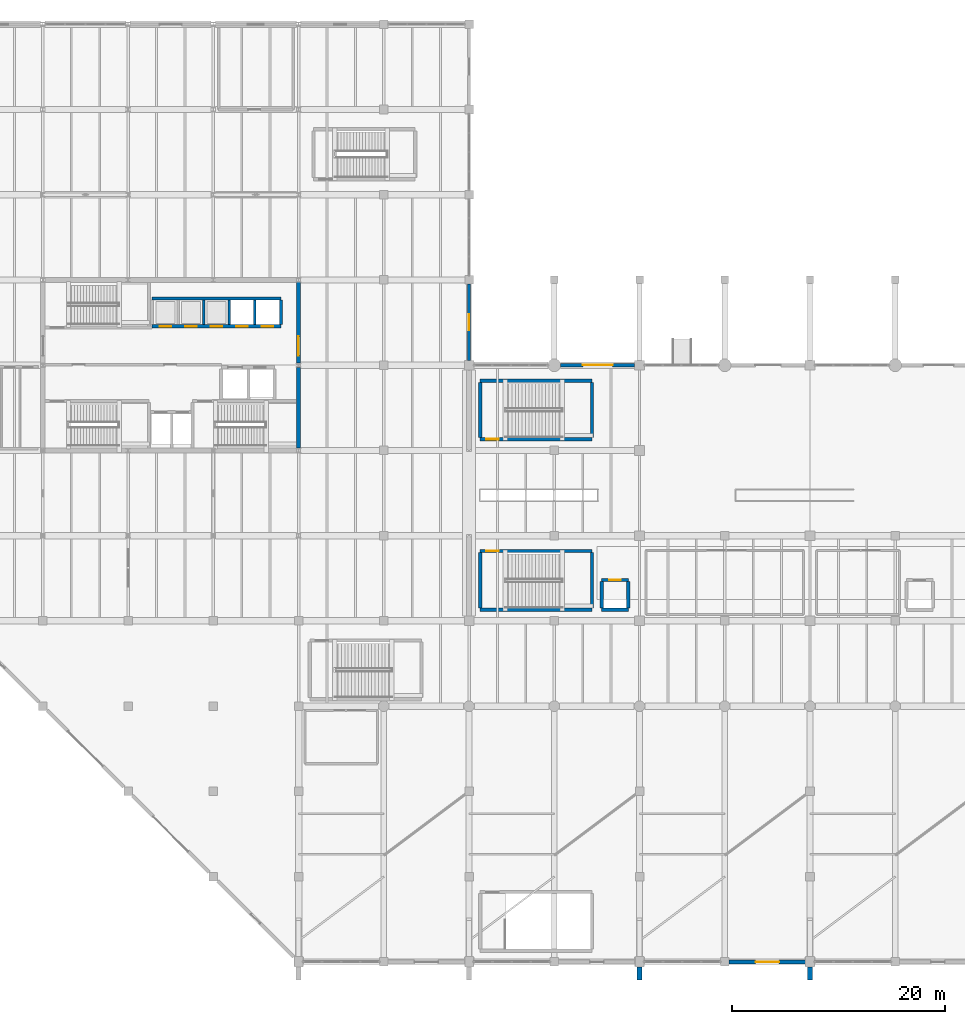
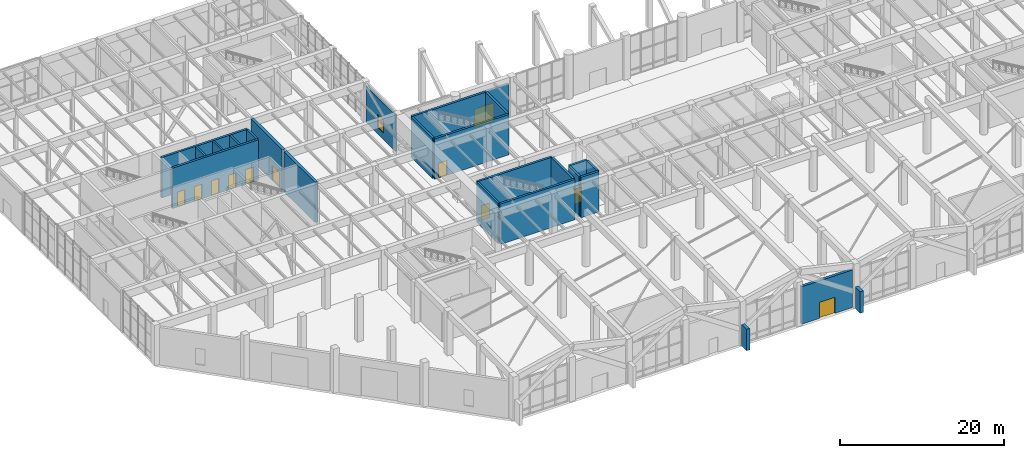
# One storey, part 35 of 51: 25 walls, 11 doors, 1 window, 12 openings.
"""IFC4 building model written with IfcOpenShell, lengths in metres."""

import ifcopenshell
import ifcopenshell.guid

model = None  # the IFC model being written
_history = None  # IfcOwnerHistory: only IFC2X3 demands one
_inside = {}  # id of a spatial element -> (the spatial element, [elements in it])
_under = {}  # id of a project, library or spatial element -> (it, [spatial elements below it])
_declared = {}  # id of a project -> (the project, [libraries it declares])
_typed = {}  # id of a type object -> (the type object, [elements of that type])
_made_of = {}  # id of a material, layer set ... -> (it, [elements and type objects made of it])


def new_model(schema):
    """Start an empty IFC model of exactly this schema.

    Asked for "IFC4X3", IfcOpenShell would pick the latest addendum, in which some entities
    have other attributes; the version numbers below select the first issue.
    IFC2X3 requires an IfcOwnerHistory on every rooted entity: one is made here for all.
    """
    global model, _history
    if schema == "IFC4X3":
        model = ifcopenshell.file(schema_version=(4, 3, 0, 0))
    else:
        model = ifcopenshell.file(schema=schema)
    _inside.clear()
    _under.clear()
    _declared.clear()
    _typed.clear()
    _made_of.clear()
    _history = None
    if model.schema == "IFC2X3":
        org = make("IfcOrganization", Name="unknown")
        user = make(
            "IfcPersonAndOrganization",
            ThePerson=make("IfcPerson", FamilyName="unknown"),
            TheOrganization=org,
        )
        app = make(
            "IfcApplication",
            ApplicationDeveloper=org,
            Version="unknown",
            ApplicationFullName="unknown",
            ApplicationIdentifier="unknown",
        )
        _history = make(
            "IfcOwnerHistory",
            OwningUser=user,
            OwningApplication=app,
            ChangeAction="ADDED",
            CreationDate=0,
        )
    return model


def make(cls, **values):
    """One entity of the class cls with the attributes given. An attribute that is None is left unset."""
    return model.create_entity(
        cls, **{name: value for name, value in values.items() if value is not None}
    )


def rooted(cls, **values):
    """An entity with a GlobalId (a new one), such as an element, a storey or a relation."""
    return make(cls, GlobalId=ifcopenshell.guid.new(), OwnerHistory=_history, **values)


def si_unit(unit_type, name, prefix=None):
    """IfcSIUnit, for example si_unit("LENGTHUNIT", "METRE", prefix="MILLI")."""
    return make("IfcSIUnit", UnitType=unit_type, Prefix=prefix, Name=name)


def assignment(units):
    """IfcUnitAssignment: the units of a project."""
    return None if units is None else make("IfcUnitAssignment", Units=units)


def point(xyz):
    """IfcCartesianPoint."""
    return None if xyz is None else make("IfcCartesianPoint", Coordinates=xyz)


def direction(xyz):
    """IfcDirection."""
    return None if xyz is None else make("IfcDirection", DirectionRatios=xyz)


def frame(location, z_axis=None, x_axis=None):
    """IfcAxis2Placement3D, a coordinate frame: its origin and axes. An axis left out is left unset."""
    return make(
        "IfcAxis2Placement3D",
        Location=point(location),
        Axis=direction(z_axis),
        RefDirection=direction(x_axis),
    )


def frame_2d(location, x_axis=None):
    """IfcAxis2Placement2D, a coordinate frame in the plane: its origin and x axis."""
    return make(
        "IfcAxis2Placement2D", Location=point(location), RefDirection=direction(x_axis)
    )


def origin():
    """The frame at (0, 0, 0) with its axes left unset."""
    return frame((0.0, 0.0, 0.0))


def place(relative_to, where):
    """IfcLocalPlacement: puts the frame where relative to a parent placement (None: the world)."""
    return make(
        "IfcLocalPlacement", PlacementRelTo=relative_to, RelativePlacement=where
    )


def context(
    kind, dimensions, precision=None, world=None, true_north=None, identifier=None
):
    """IfcGeometricRepresentationContext, for example the 3D "Model" context."""
    return make(
        "IfcGeometricRepresentationContext",
        ContextIdentifier=identifier,
        ContextType=kind,
        CoordinateSpaceDimension=dimensions,
        Precision=precision,
        WorldCoordinateSystem=world,
        TrueNorth=true_north,
    )


def subcontext(parent, identifier, kind, view, scale=None):
    """IfcGeometricRepresentationSubContext, for example "Body" below "Model"."""
    return make(
        "IfcGeometricRepresentationSubContext",
        ContextIdentifier=identifier,
        ContextType=kind,
        ParentContext=parent,
        TargetScale=scale,
        TargetView=view,
    )


def project(units=None, contexts=None):
    """IfcProject with its units and contexts."""
    return rooted(
        "IfcProject",
        Name="project",
        RepresentationContexts=contexts,
        UnitsInContext=assignment(units),
    )


def spatial(cls, under=None, at=None, **own):
    """A site, building, storey or space (cls), placed at a placement, below another one or the project."""
    s = rooted(cls, ObjectPlacement=at, **own)
    if under is not None:
        _under.setdefault(under.id(), (under, []))[1].append(s)
    return s


def profile(cls, at=None, kind="AREA", **sizes):
    """A parametric profile (cls). Its sizes go by their IFC names, for example OverallWidth=200.0."""
    return make(cls, ProfileType=kind, Position=at, **sizes)


def rectangle(**sizes):
    """IfcRectangleProfileDef."""
    return profile("IfcRectangleProfileDef", **sizes)


def extrude(swept, where, along, depth):
    """IfcExtrudedAreaSolid: the profile swept, set in the frame where, extruded along a direction by depth."""
    return make(
        "IfcExtrudedAreaSolid",
        SweptArea=swept,
        Position=where,
        ExtrudedDirection=direction(along),
        Depth=depth,
    )


def shape(context_of_items, identifier, shape_type, items):
    """IfcShapeRepresentation: the items that make up one representation, for example the "Body"."""
    return make(
        "IfcShapeRepresentation",
        ContextOfItems=context_of_items,
        RepresentationIdentifier=identifier,
        RepresentationType=shape_type,
        Items=items,
    )


def material(Name=None, Category=None):
    """IfcMaterial."""
    return make("IfcMaterial", Name=Name, Category=Category)


def layer(
    of_material, thickness, ventilated=None, Name=None, Category=None, Priority=None
):
    """IfcMaterialLayer: one layer of a wall or slab, of a material (None: an air gap)."""
    return make(
        "IfcMaterialLayer",
        Material=of_material,
        LayerThickness=thickness,
        IsVentilated=ventilated,
        Name=Name,
        Category=Category,
        Priority=Priority,
    )


def layer_set(layers, Name=None):
    """IfcMaterialLayerSet."""
    return make("IfcMaterialLayerSet", MaterialLayers=layers, LayerSetName=Name)


def made_of(thing, what):
    """Note that an element or type object is made of a material, layer set ...; save() writes the relation."""
    if what is not None:
        _made_of.setdefault(what.id(), (what, []))[1].append(thing)
    return thing


def type_object(cls, material=None, **own):
    """A type object (cls), such as IfcWallType, which elements share."""
    return made_of(rooted(cls, **own), material)


def element(
    cls,
    number,
    at=None,
    inside=None,
    cuts=None,
    type_object=None,
    material=None,
    context=None,
    identifier="Body",
    shape_type=None,
    held_by="IfcProductDefinitionShape",
    body=None,
    shapes=None,
    **own,
):
    """One element of the class cls, such as IfcWall. Its Tag is "e" and its number.

    at: its placement. inside: the storey or other place that contains it. cuts: it is an
    opening in that element (IfcRelVoidsElement). A single representation is given by context,
    identifier, shape_type and body (its items); several are given by shapes. held_by: the class
    of the entity that holds the representations. save() writes the other relations.
    """
    e = rooted(cls, Tag="e%d" % number, ObjectPlacement=at, **own)
    if body is not None:
        shapes = [shape(context, identifier, shape_type, body)]
    if shapes is not None:
        e.Representation = make(held_by, Representations=shapes)
    if inside is not None:
        _inside.setdefault(inside.id(), (inside, []))[1].append(e)
    if cuts is not None:
        rooted(
            "IfcRelVoidsElement", RelatingBuildingElement=cuts, RelatedOpeningElement=e
        )
    if type_object is not None:
        _typed.setdefault(type_object.id(), (type_object, []))[1].append(e)
    return made_of(e, material)


def fill(opening, filler):
    """IfcRelFillsElement: the door or window that sits in an opening."""
    return rooted(
        "IfcRelFillsElement",
        RelatingOpeningElement=opening,
        RelatedBuildingElement=filler,
    )


def aggregate(whole, parts):
    """IfcRelAggregates: a whole, such as a stair, and the parts it consists of."""
    return rooted("IfcRelAggregates", RelatingObject=whole, RelatedObjects=parts)


def save(model, path):
    """Write the relations noted so far, then the file.

    IfcRelAggregates (storeys below a building ...), IfcRelContainedInSpatialStructure (elements
    in a storey), IfcRelDefinesByType, IfcRelAssociatesMaterial and IfcRelDeclares: one each for
    every whole, place, type object, material and project.
    """
    for whole, parts in _under.values():
        aggregate(whole, parts)
    for where, things in _inside.values():
        rooted(
            "IfcRelContainedInSpatialStructure",
            RelatedElements=things,
            RelatingStructure=where,
        )
    for kind, things in _typed.values():
        rooted("IfcRelDefinesByType", RelatedObjects=things, RelatingType=kind)
    for what, things in _made_of.values():
        rooted("IfcRelAssociatesMaterial", RelatedObjects=things, RelatingMaterial=what)
    for by, libraries in _declared.values():
        rooted("IfcRelDeclares", RelatingContext=by, RelatedDefinitions=libraries)
    model.write(path)


model = new_model("IFC4")

# Units and contexts
model_context = context("Model", 3, precision=1e-05, world=origin(), true_north=direction((0.0, 1.0)))
body_context = subcontext(model_context, "Body", "Model", "MODEL_VIEW")
ifc_project = project(units=[si_unit("LENGTHUNIT", "METRE"), si_unit("AREAUNIT", "SQUARE_METRE"), si_unit("VOLUMEUNIT", "CUBIC_METRE"), si_unit("PLANEANGLEUNIT", "RADIAN"), si_unit("MASSUNIT", "GRAM", prefix="KILO")], contexts=[model_context])

# Site, building, storey
site_placement = place(None, origin())
site = spatial("IfcSite", under=ifc_project, at=site_placement, CompositionType="ELEMENT")
building_placement = place(site_placement, origin())
building = spatial("IfcBuilding", under=site, at=building_placement, Name="Varnela Railside Interchange", CompositionType="ELEMENT")
storey_placement = place(building_placement, origin())
storey = spatial("IfcBuildingStorey", under=building, at=storey_placement, Name="L00", CompositionType="ELEMENT", Elevation=0.0)

# Wall, opening, door
ifc_material_1 = material(Name="Concrete C40 precast", Category="concrete")
ifc_layer_1 = layer(ifc_material_1, 0.320068359375)
ifc_layer_set_1 = layer_set([ifc_layer_1], Name="Concrete C40 precast")
wall_type_1 = type_object("IfcWallType", Name="Board-Formed Concrete Facade Wall EW-01", PredefinedType="STANDARD", material=ifc_layer_set_1)
wall_1_placement = place(storey_placement, frame((60.60009765625, 62.0, 0.0), z_axis=(0.0, 0.0, 1.0), x_axis=(1.0, 0.0, 0.0)))
wall_1 = element("IfcWall", 1, at=wall_1_placement, inside=storey, type_object=wall_type_1, Name="Board-Formed Concrete Facade Wall EW-01 (L00) (WL-0350)", PredefinedType="STANDARD", context=body_context, shape_type="SweptSolid", body=[
    extrude(rectangle(XDim=6.949951171875, YDim=0.320068359375, at=frame_2d((3.47509765625, 0.0))), origin(), (0.0, 0.0, 1.0), 4.919921875),
])
opening_1_placement = place(wall_1_placement, frame((2.074951171875, 0.0, 0.0)))
opening_1 = element("IfcOpeningElement", 2, at=opening_1_placement, cuts=wall_1, Name="Opening D-008", PredefinedType="OPENING", context=body_context, shape_type="SweptSolid", body=[
    extrude(rectangle(XDim=2.800048828125, YDim=2.800048828125, at=frame_2d((1.39990234375, 1.39990234375))), frame((0.0, 0.169921875, 0.0), z_axis=(0.0, -1.0, 0.0), x_axis=(1.0, 0.0, 0.0)), (0.0, 0.0, 1.0), 0.340087890625),
])
ifc_material_2 = material(Name="Aluminium 6063-T6", Category="aluminium")
door_type_1 = type_object("IfcDoorType", Name="Forecourt Main Double Entrance ED-01", OperationType="DOUBLE_DOOR_SINGLE_SWING", PredefinedType="DOOR", material=ifc_material_2)
door_1_placement = place(opening_1_placement, origin())
door_1 = element("IfcDoor", 3, at=door_1_placement, inside=storey, type_object=door_type_1, Name="Door D-008", OperationType="DOUBLE_DOOR_SINGLE_SWING", OverallHeight=2.800048828125, OverallWidth=2.800048828125, PredefinedType="DOOR", context=body_context, shape_type="SweptSolid", body=[
    extrude(rectangle(XDim=2.800048828125, YDim=2.800048828125, at=frame_2d((1.39990234375, 1.39990234375))), frame((0.0, 0.02490234375, 0.0), z_axis=(0.0, -1.0, 0.0), x_axis=(1.0, 0.0, 0.0)), (0.0, 0.0, 1.0), 0.050048828125),
])
fill(opening_1, door_1)

ifc_layer_2 = layer(ifc_material_1, 0.35009765625)
ifc_layer_set_2 = layer_set([ifc_layer_2], Name="Concrete C40 precast")
wall_type_2 = type_object("IfcWallType", Name="Bus Deck Acoustic Concrete Wall EW-04", PredefinedType="STANDARD", material=ifc_layer_set_2)
wall_2_placement = place(storey_placement, frame((83.60009765625, 6.0, 0.0), z_axis=(0.0, 0.0, 1.0), x_axis=(-1.0, 0.0, 0.0)))
wall_2 = element("IfcWall", 4, at=wall_2_placement, inside=storey, type_object=wall_type_2, Name="Bus Deck Acoustic Concrete Wall EW-04 (L00) (WL-0380)", PredefinedType="STANDARD", context=body_context, shape_type="SweptSolid", body=[
    extrude(rectangle(XDim=7.2001953125, YDim=0.35009765625, at=frame_2d((3.60009765625, 0.0))), origin(), (0.0, 0.0, 1.0), 5.60009765625),
])
opening_2_placement = place(wall_2_placement, frame((2.5, 0.0, 0.0)))
opening_2 = element("IfcOpeningElement", 5, at=opening_2_placement, cuts=wall_2, Name="Opening D-021", PredefinedType="OPENING", context=body_context, shape_type="SweptSolid", body=[
    extrude(rectangle(XDim=2.199951171875, YDim=2.39990234375, at=frame_2d((1.10009765625, 1.199951171875))), frame((0.0, 0.18505859375, 0.0), z_axis=(0.0, -1.0, 0.0), x_axis=(1.0, 0.0, 0.0)), (0.0, 0.0, 1.0), 0.3701171875),
])
door_type_2 = type_object("IfcDoorType", Name="Bus Bay Automatic Boarding Door ED-04", OperationType="SLIDING_TO_LEFT", PredefinedType="DOOR", material=ifc_material_2)
door_2_placement = place(opening_2_placement, origin())
door_2 = element("IfcDoor", 6, at=door_2_placement, inside=storey, type_object=door_type_2, Name="Door D-021", OperationType="SLIDING_TO_LEFT", OverallHeight=2.39990234375, OverallWidth=2.199951171875, PredefinedType="DOOR", context=body_context, shape_type="SweptSolid", body=[
    extrude(rectangle(XDim=2.199951171875, YDim=2.39990234375, at=frame_2d((1.10009765625, 1.199951171875))), frame((0.0, 0.02490234375, 0.0), z_axis=(0.0, -1.0, 0.0), x_axis=(1.0, 0.0, 0.0)), (0.0, 0.0, 1.0), 0.050048828125),
])
fill(opening_2, door_2)

# Wall
ifc_material_3 = material(Name="Concrete C50", Category="concrete")
ifc_layer_3 = layer(ifc_material_3, 0.39990234375)
ifc_layer_set_3 = layer_set([ifc_layer_3], Name="Concrete C50")
wall_type_3 = type_object("IfcWallType", Name="Core Coupling Shear Wall SW-02", PredefinedType="SHEAR", material=ifc_layer_set_3)
wall_3_placement = place(storey_placement, frame((36.0, 54.2080078125, 0.0), z_axis=(0.0, 0.0, 1.0), x_axis=(0.0, 1.0, 0.0)))
element("IfcWall", 7, at=wall_3_placement, inside=storey, type_object=wall_type_3, Name="Core Coupling Shear Wall SW-02 (L00) (WL-0310)", PredefinedType="SHEAR", context=body_context, shape_type="SweptSolid", body=[
    extrude(rectangle(XDim=7.583984375, YDim=0.39990234375, at=frame_2d((3.7919921875, 0.0))), origin(), (0.0, 0.0, 1.0), 6.02001953125),
])

# Wall, opening, door
wall_4_placement = place(storey_placement, frame((36.0, 62.2080078125, 0.0), z_axis=(0.0, 0.0, 1.0), x_axis=(0.0, 1.0, 0.0)))
wall_4 = element("IfcWall", 8, at=wall_4_placement, inside=storey, type_object=wall_type_3, Name="Core Coupling Shear Wall SW-02 (L00) (WL-0311)", PredefinedType="SHEAR", context=body_context, shape_type="SweptSolid", body=[
    extrude(rectangle(XDim=7.583984375, YDim=0.39990234375, at=frame_2d((3.7919921875, 0.0))), origin(), (0.0, 0.0, 1.0), 6.02001953125),
])
opening_3_placement = place(wall_4_placement, frame((0.69189453125, 0.0, 0.0)))
opening_3 = element("IfcOpeningElement", 9, at=opening_3_placement, cuts=wall_4, Name="Opening D-154", PredefinedType="OPENING", context=body_context, shape_type="SweptSolid", body=[
    extrude(rectangle(XDim=1.800048828125, YDim=2.199951171875, at=frame_2d((0.89990234375, 1.10009765625))), frame((0.0, 0.2099609375, 0.0), z_axis=(0.0, -1.0, 0.0), x_axis=(1.0, 0.0, 0.0)), (0.0, 0.0, 1.0), 0.419921875),
])
ifc_material_4 = material(Name="Steel AR 350 (350 MPa)", Category="steel")
door_type_3 = type_object("IfcDoorType", Name="DR-DBL-1800-FD60", OperationType="DOUBLE_DOOR_SINGLE_SWING", PredefinedType="DOOR", material=ifc_material_4)
door_3_placement = place(opening_3_placement, frame((1.800048828125, 0.0, 0.0), z_axis=(0.0, 0.0, 1.0), x_axis=(-1.0, 0.0, 0.0)))
door_3 = element("IfcDoor", 10, at=door_3_placement, inside=storey, type_object=door_type_3, Name="Door D-154", OperationType="DOUBLE_DOOR_SINGLE_SWING", OverallHeight=2.199951171875, OverallWidth=1.800048828125, PredefinedType="DOOR", context=body_context, shape_type="SweptSolid", body=[
    extrude(rectangle(XDim=1.800048828125, YDim=2.199951171875, at=frame_2d((0.89990234375, 1.10009765625))), frame((0.0, 0.02490234375, 0.0), z_axis=(0.0, -1.0, 0.0), x_axis=(1.0, 0.0, 0.0)), (0.0, 0.0, 1.0), 0.050048828125),
])
fill(opening_3, door_3)

# Wall, opening, window
ifc_layer_4 = layer(ifc_material_1, 0.280029296875)
ifc_layer_set_4 = layer_set([ifc_layer_4], Name="Concrete C40 precast")
wall_type_4 = type_object("IfcWallType", Name="Ribbed Precast Concrete Facade Wall EW-02", PredefinedType="STANDARD", material=ifc_layer_set_4)
wall_5_placement = place(storey_placement, frame((52.0, 69.60009765625, 0.0), z_axis=(0.0, 0.0, 1.0), x_axis=(0.0, -1.0, 0.0)))
wall_5 = element("IfcWall", 11, at=wall_5_placement, inside=storey, type_object=wall_type_4, Name="Ribbed Precast Concrete Facade Wall EW-02 (L00) (WL-0349)", PredefinedType="STANDARD", context=body_context, shape_type="SweptSolid", body=[
    extrude(rectangle(XDim=7.150146484375, YDim=0.280029296875, at=frame_2d((3.5751953125, 0.0))), origin(), (0.0, 0.0, 1.0), 5.407958984375),
])
opening_4_placement = place(wall_5_placement, frame((2.824951171875, 0.0, 0.949951171875)))
opening_4 = element("IfcOpeningElement", 12, at=opening_4_placement, cuts=wall_5, Name="Opening W-006", PredefinedType="OPENING", context=body_context, shape_type="SweptSolid", body=[
    extrude(rectangle(XDim=1.5, YDim=2.0, at=frame_2d((0.75, 1.0))), frame((0.0, 0.14990234375, 0.0), z_axis=(0.0, -1.0, 0.0), x_axis=(1.0, 0.0, 0.0)), (0.0, 0.0, 1.0), 0.300048828125),
])
ifc_material_5 = material(Name="Glass laminated double", Category="glass")
window_type = type_object("IfcWindowType", Name="Operations Modular Window WN-04", PartitioningType="SINGLE_PANEL", PredefinedType="WINDOW", material=ifc_material_5)
window_placement = place(opening_4_placement, origin())
window = element("IfcWindow", 13, at=window_placement, inside=storey, type_object=window_type, Name="Window W-006", OverallHeight=2.0, OverallWidth=1.5, PartitioningType="SINGLE_PANEL", PredefinedType="WINDOW", context=body_context, shape_type="SweptSolid", body=[
    extrude(rectangle(XDim=1.5, YDim=2.0, at=frame_2d((0.75, 1.0))), frame((0.0, 0.030029296875, 0.0), z_axis=(0.0, -1.0, 0.0), x_axis=(1.0, 0.0, 0.0)), (0.0, 0.0, 1.0), 0.06005859375),
])
fill(opening_4, window)

# Wall, openings, doors
ifc_layer_5 = layer(ifc_material_3, 0.300048828125)
ifc_layer_set_5 = layer_set([ifc_layer_5], Name="Concrete C50")
wall_type_5 = type_object("IfcWallType", Name="Stair & Lift Shaft Wall SW-03", PredefinedType="SHEAR", material=ifc_layer_set_5)
wall_6_placement = place(storey_placement, frame((22.25, 65.64990234375, 0.0), z_axis=(0.0, 0.0, 1.0), x_axis=(1.0, 0.0, 0.0)))
wall_6 = element("IfcWall", 14, at=wall_6_placement, inside=storey, type_object=wall_type_5, Name="Stair & Lift Shaft Wall SW-03 (L00) (WL-0325)", PredefinedType="SHEAR", context=body_context, shape_type="SweptSolid", body=[
    extrude(rectangle(XDim=12.10009765625, YDim=0.300048828125, at=frame_2d((6.050048828125, 0.0))), origin(), (0.0, 0.0, 1.0), 6.02001953125),
])
opening_5_placement = place(wall_6_placement, frame((0.699951171875, 0.0, 0.0)))
opening_5 = element("IfcOpeningElement", 15, at=opening_5_placement, cuts=wall_6, Name="Opening LD-023", PredefinedType="OPENING", context=body_context, shape_type="SweptSolid", body=[
    extrude(rectangle(XDim=1.080078125, YDim=2.199951171875, at=frame_2d((0.5400390625, 1.10009765625))), frame((0.0, 0.159912109375, 0.0), z_axis=(0.0, -1.0, 0.0), x_axis=(1.0, 0.0, 0.0)), (0.0, 0.0, 1.0), 0.320068359375),
])
opening_6_placement = place(wall_6_placement, frame((3.10009765625, 0.0, 0.0)))
opening_6 = element("IfcOpeningElement", 16, at=opening_6_placement, cuts=wall_6, Name="Opening LD-024", PredefinedType="OPENING", context=body_context, shape_type="SweptSolid", body=[
    extrude(rectangle(XDim=1.080078125, YDim=2.199951171875, at=frame_2d((0.5400390625, 1.10009765625))), frame((0.0, 0.159912109375, 0.0), z_axis=(0.0, -1.0, 0.0), x_axis=(1.0, 0.0, 0.0)), (0.0, 0.0, 1.0), 0.320068359375),
])
opening_7_placement = place(wall_6_placement, frame((5.5, 0.0, 0.0)))
opening_7 = element("IfcOpeningElement", 17, at=opening_7_placement, cuts=wall_6, Name="Opening LD-025", PredefinedType="OPENING", context=body_context, shape_type="SweptSolid", body=[
    extrude(rectangle(XDim=1.080078125, YDim=2.199951171875, at=frame_2d((0.5400390625, 1.10009765625))), frame((0.0, 0.159912109375, 0.0), z_axis=(0.0, -1.0, 0.0), x_axis=(1.0, 0.0, 0.0)), (0.0, 0.0, 1.0), 0.320068359375),
])
opening_8_placement = place(wall_6_placement, frame((7.89990234375, 0.0, 0.0)))
opening_8 = element("IfcOpeningElement", 18, at=opening_8_placement, cuts=wall_6, Name="Opening LD-026", PredefinedType="OPENING", context=body_context, shape_type="SweptSolid", body=[
    extrude(rectangle(XDim=1.080078125, YDim=2.199951171875, at=frame_2d((0.5400390625, 1.10009765625))), frame((0.0, 0.159912109375, 0.0), z_axis=(0.0, -1.0, 0.0), x_axis=(1.0, 0.0, 0.0)), (0.0, 0.0, 1.0), 0.320068359375),
])
opening_9_placement = place(wall_6_placement, frame((10.300048828125, 0.0, 0.0)))
opening_9 = element("IfcOpeningElement", 19, at=opening_9_placement, cuts=wall_6, Name="Opening LD-027", PredefinedType="OPENING", context=body_context, shape_type="SweptSolid", body=[
    extrude(rectangle(XDim=1.080078125, YDim=2.199951171875, at=frame_2d((0.5400390625, 1.10009765625))), frame((0.0, 0.159912109375, 0.0), z_axis=(0.0, -1.0, 0.0), x_axis=(1.0, 0.0, 0.0)), (0.0, 0.0, 1.0), 0.320068359375),
])
door_type_4 = type_object("IfcDoorType", Name="DR-LIFT-1080", OperationType="SLIDING_TO_LEFT", PredefinedType="DOOR", material=ifc_material_4)
door_4_placement = place(opening_5_placement, origin())
door_4 = element("IfcDoor", 20, at=door_4_placement, inside=storey, type_object=door_type_4, Name="Door LD-023", OperationType="SLIDING_TO_LEFT", OverallHeight=2.199951171875, OverallWidth=1.080078125, PredefinedType="DOOR", context=body_context, shape_type="SweptSolid", body=[
    extrude(rectangle(XDim=1.080078125, YDim=2.199951171875, at=frame_2d((0.5400390625, 1.10009765625))), frame((0.0, 0.02490234375, 0.0), z_axis=(0.0, -1.0, 0.0), x_axis=(1.0, 0.0, 0.0)), (0.0, 0.0, 1.0), 0.050048828125),
])
fill(opening_5, door_4)
door_5_placement = place(opening_6_placement, origin())
door_5 = element("IfcDoor", 21, at=door_5_placement, inside=storey, type_object=door_type_4, Name="Door LD-024", OperationType="SLIDING_TO_LEFT", OverallHeight=2.199951171875, OverallWidth=1.080078125, PredefinedType="DOOR", context=body_context, shape_type="SweptSolid", body=[
    extrude(rectangle(XDim=1.080078125, YDim=2.199951171875, at=frame_2d((0.5400390625, 1.10009765625))), frame((0.0, 0.02490234375, 0.0), z_axis=(0.0, -1.0, 0.0), x_axis=(1.0, 0.0, 0.0)), (0.0, 0.0, 1.0), 0.050048828125),
])
fill(opening_6, door_5)
door_6_placement = place(opening_7_placement, origin())
door_6 = element("IfcDoor", 22, at=door_6_placement, inside=storey, type_object=door_type_4, Name="Door LD-025", OperationType="SLIDING_TO_LEFT", OverallHeight=2.199951171875, OverallWidth=1.080078125, PredefinedType="DOOR", context=body_context, shape_type="SweptSolid", body=[
    extrude(rectangle(XDim=1.080078125, YDim=2.199951171875, at=frame_2d((0.5400390625, 1.10009765625))), frame((0.0, 0.02490234375, 0.0), z_axis=(0.0, -1.0, 0.0), x_axis=(1.0, 0.0, 0.0)), (0.0, 0.0, 1.0), 0.050048828125),
])
fill(opening_7, door_6)
door_7_placement = place(opening_8_placement, origin())
door_7 = element("IfcDoor", 23, at=door_7_placement, inside=storey, type_object=door_type_4, Name="Door LD-026", OperationType="SLIDING_TO_LEFT", OverallHeight=2.199951171875, OverallWidth=1.080078125, PredefinedType="DOOR", context=body_context, shape_type="SweptSolid", body=[
    extrude(rectangle(XDim=1.080078125, YDim=2.199951171875, at=frame_2d((0.5400390625, 1.10009765625))), frame((0.0, 0.02490234375, 0.0), z_axis=(0.0, -1.0, 0.0), x_axis=(1.0, 0.0, 0.0)), (0.0, 0.0, 1.0), 0.050048828125),
])
fill(opening_8, door_7)
door_8_placement = place(opening_9_placement, origin())
door_8 = element("IfcDoor", 24, at=door_8_placement, inside=storey, type_object=door_type_4, Name="Door LD-027", OperationType="SLIDING_TO_LEFT", OverallHeight=2.199951171875, OverallWidth=1.080078125, PredefinedType="DOOR", context=body_context, shape_type="SweptSolid", body=[
    extrude(rectangle(XDim=1.080078125, YDim=2.199951171875, at=frame_2d((0.5400390625, 1.10009765625))), frame((0.0, 0.02490234375, 0.0), z_axis=(0.0, -1.0, 0.0), x_axis=(1.0, 0.0, 0.0)), (0.0, 0.0, 1.0), 0.050048828125),
])
fill(opening_9, door_8)

# Walls
wall_7_placement = place(storey_placement, frame((22.25, 68.25, 0.0), z_axis=(0.0, 0.0, 1.0), x_axis=(1.0, 0.0, 0.0)))
element("IfcWall", 25, at=wall_7_placement, inside=storey, type_object=wall_type_5, Name="Stair & Lift Shaft Wall SW-03 (L00) (WL-0324)", PredefinedType="SHEAR", context=body_context, shape_type="SweptSolid", body=[
    extrude(rectangle(XDim=12.10009765625, YDim=0.300048828125, at=frame_2d((6.050048828125, 0.0))), origin(), (0.0, 0.0, 1.0), 6.02001953125),
])
wall_8_placement = place(storey_placement, frame((34.35009765625, 65.800048828125, 0.0), z_axis=(0.0, 0.0, 1.0), x_axis=(0.0, 1.0, 0.0)))
element("IfcWall", 26, at=wall_8_placement, inside=storey, type_object=wall_type_5, Name="Stair & Lift Shaft Wall SW-03 (L00) (WL-0323)", PredefinedType="SHEAR", context=body_context, shape_type="SweptSolid", body=[
    extrude(rectangle(XDim=2.300048828125, YDim=0.300048828125, at=frame_2d((1.14990234375, 0.0))), origin(), (0.0, 0.0, 1.0), 6.02001953125),
])
for number, where, z_axis, x_axis, name in (
    (27, (27.10009765625, 65.800048828125, 0.0), (0.0, 0.0, 1.0), (0.0, 1.0, 0.0), "Stair & Lift Shaft Wall SW-03 (L00) (WL-0320)"),
    (28, (29.5, 65.800048828125, 0.0), (0.0, 0.0, 1.0), (0.0, 1.0, 0.0), "Stair & Lift Shaft Wall SW-03 (L00) (WL-0321)"),
    (29, (31.89990234375, 65.800048828125, 0.0), (0.0, 0.0, 1.0), (0.0, 1.0, 0.0), "Stair & Lift Shaft Wall SW-03 (L00) (WL-0322)"),
):
    element("IfcWall", number, at=place(storey_placement, frame(where, z_axis=z_axis, x_axis=x_axis)), inside=storey, type_object=wall_type_5, Name=name, PredefinedType="SHEAR", context=body_context, shape_type="SweptSolid", body=[
        extrude(rectangle(XDim=2.300048828125, YDim=0.25, at=frame_2d((1.14990234375, 0.0))), origin(), (0.0, 0.0, 1.0), 6.02001953125),
    ])

# Wall, opening, door
wall_9_placement = place(storey_placement, frame((53.050048828125, 44.550048828125, 0.0), z_axis=(0.0, 0.0, 1.0), x_axis=(1.0, 0.0, 0.0)))
wall_9 = element("IfcWall", 30, at=wall_9_placement, inside=storey, type_object=wall_type_5, Name="Stair & Lift Shaft Wall SW-03 (L00) (WL-0427)", PredefinedType="SHEAR", context=body_context, shape_type="SweptSolid", body=[
    extrude(rectangle(XDim=10.5, YDim=0.300048828125, at=frame_2d((5.25, 0.0))), origin(), (0.0, 0.0, 1.0), 6.02001953125),
])
opening_10_placement = place(wall_9_placement, frame((0.550048828125, 0.0, 0.0)))
opening_10 = element("IfcOpeningElement", 31, at=opening_10_placement, cuts=wall_9, Name="Opening D-158", PredefinedType="OPENING", context=body_context, shape_type="SweptSolid", body=[
    extrude(rectangle(XDim=1.199951171875, YDim=2.199951171875, at=frame_2d((0.60009765625, 1.10009765625))), frame((0.0, 0.159912109375, 0.0), z_axis=(0.0, -1.0, 0.0), x_axis=(1.0, 0.0, 0.0)), (0.0, 0.0, 1.0), 0.320068359375),
])
door_type_5 = type_object("IfcDoorType", Name="DR-SGL-1200-FD90", OperationType="NOTDEFINED", PredefinedType="DOOR", material=ifc_material_4)
door_9_placement = place(opening_10_placement, origin())
door_9 = element("IfcDoor", 32, at=door_9_placement, inside=storey, type_object=door_type_5, Name="Door D-158", OperationType="SINGLE_SWING_LEFT", OverallHeight=2.199951171875, OverallWidth=1.199951171875, PredefinedType="DOOR", context=body_context, shape_type="SweptSolid", body=[
    extrude(rectangle(XDim=1.199951171875, YDim=2.199951171875, at=frame_2d((0.60009765625, 1.10009765625))), frame((0.0, 0.02490234375, 0.0), z_axis=(0.0, -1.0, 0.0), x_axis=(1.0, 0.0, 0.0)), (0.0, 0.0, 1.0), 0.050048828125),
])
fill(opening_10, door_9)

# Walls
wall_10_placement = place(storey_placement, frame((53.050048828125, 39.050048828125, 0.0), z_axis=(0.0, 0.0, 1.0), x_axis=(1.0, 0.0, 0.0)))
element("IfcWall", 33, at=wall_10_placement, inside=storey, type_object=wall_type_5, Name="Stair & Lift Shaft Wall SW-03 (L00) (WL-0428)", PredefinedType="SHEAR", context=body_context, shape_type="SweptSolid", body=[
    extrude(rectangle(XDim=10.5, YDim=0.300048828125, at=frame_2d((5.25, 0.0))), origin(), (0.0, 0.0, 1.0), 6.02001953125),
])
for number, where, z_axis, x_axis, name in (
    (34, (53.050048828125, 39.199951171875, 0.0), (0.0, 0.0, 1.0), (0.0, 1.0, 0.0), "Stair & Lift Shaft Wall SW-03 (L00) (WL-0429)"),
    (35, (63.550048828125, 39.199951171875, 0.0), (0.0, 0.0, 1.0), (0.0, 1.0, 0.0), "Stair & Lift Shaft Wall SW-03 (L00) (WL-0426)"),
):
    element("IfcWall", number, at=place(storey_placement, frame(where, z_axis=z_axis, x_axis=x_axis)), inside=storey, type_object=wall_type_5, Name=name, PredefinedType="SHEAR", context=body_context, shape_type="SweptSolid", body=[
        extrude(rectangle(XDim=5.199951171875, YDim=0.300048828125, at=frame_2d((2.60009765625, 0.0))), origin(), (0.0, 0.0, 1.0), 6.02001953125),
    ])
wall_11_placement = place(storey_placement, frame((53.050048828125, 60.550048828125, 0.0), z_axis=(0.0, 0.0, 1.0), x_axis=(1.0, 0.0, 0.0)))
element("IfcWall", 36, at=wall_11_placement, inside=storey, type_object=wall_type_5, Name="Stair & Lift Shaft Wall SW-03 (L00) (WL-0435)", PredefinedType="SHEAR", context=body_context, shape_type="SweptSolid", body=[
    extrude(rectangle(XDim=10.5, YDim=0.300048828125, at=frame_2d((5.25, 0.0))), origin(), (0.0, 0.0, 1.0), 6.02001953125),
])

# Wall, opening, door
wall_12_placement = place(storey_placement, frame((53.050048828125, 55.050048828125, 0.0), z_axis=(0.0, 0.0, 1.0), x_axis=(1.0, 0.0, 0.0)))
wall_12 = element("IfcWall", 37, at=wall_12_placement, inside=storey, type_object=wall_type_5, Name="Stair & Lift Shaft Wall SW-03 (L00) (WL-0436)", PredefinedType="SHEAR", context=body_context, shape_type="SweptSolid", body=[
    extrude(rectangle(XDim=10.5, YDim=0.300048828125, at=frame_2d((5.25, 0.0))), origin(), (0.0, 0.0, 1.0), 6.02001953125),
])
opening_11_placement = place(wall_12_placement, frame((0.550048828125, 0.0, 0.0)))
opening_11 = element("IfcOpeningElement", 38, at=opening_11_placement, cuts=wall_12, Name="Opening D-160", PredefinedType="OPENING", context=body_context, shape_type="SweptSolid", body=[
    extrude(rectangle(XDim=1.199951171875, YDim=2.199951171875, at=frame_2d((0.60009765625, 1.10009765625))), frame((0.0, 0.159912109375, 0.0), z_axis=(0.0, -1.0, 0.0), x_axis=(1.0, 0.0, 0.0)), (0.0, 0.0, 1.0), 0.320068359375),
])
door_10_placement = place(opening_11_placement, frame((1.199951171875, 0.0, 0.0), z_axis=(0.0, 0.0, 1.0), x_axis=(-1.0, 0.0, 0.0)))
door_10 = element("IfcDoor", 39, at=door_10_placement, inside=storey, type_object=door_type_5, Name="Door D-160", OperationType="SINGLE_SWING_LEFT", OverallHeight=2.199951171875, OverallWidth=1.199951171875, PredefinedType="DOOR", context=body_context, shape_type="SweptSolid", body=[
    extrude(rectangle(XDim=1.199951171875, YDim=2.199951171875, at=frame_2d((0.60009765625, 1.10009765625))), frame((0.0, 0.02490234375, 0.0), z_axis=(0.0, -1.0, 0.0), x_axis=(1.0, 0.0, 0.0)), (0.0, 0.0, 1.0), 0.050048828125),
])
fill(opening_11, door_10)

# Walls
for number, where, z_axis, x_axis, name in (
    (40, (53.050048828125, 55.199951171875, 0.0), (0.0, 0.0, 1.0), (0.0, 1.0, 0.0), "Stair & Lift Shaft Wall SW-03 (L00) (WL-0437)"),
    (41, (63.550048828125, 55.199951171875, 0.0), (0.0, 0.0, 1.0), (0.0, 1.0, 0.0), "Stair & Lift Shaft Wall SW-03 (L00) (WL-0434)"),
):
    element("IfcWall", number, at=place(storey_placement, frame(where, z_axis=z_axis, x_axis=x_axis)), inside=storey, type_object=wall_type_5, Name=name, PredefinedType="SHEAR", context=body_context, shape_type="SweptSolid", body=[
        extrude(rectangle(XDim=5.199951171875, YDim=0.300048828125, at=frame_2d((2.60009765625, 0.0))), origin(), (0.0, 0.0, 1.0), 6.02001953125),
    ])

# Wall, opening, door
wall_13_placement = place(storey_placement, frame((64.449951171875, 41.85009765625, 0.0), z_axis=(0.0, 0.0, 1.0), x_axis=(1.0, 0.0, 0.0)))
wall_13 = element("IfcWall", 42, at=wall_13_placement, inside=storey, type_object=wall_type_5, Name="Stair & Lift Shaft Wall SW-03 (L00) (WL-0415)", PredefinedType="SHEAR", context=body_context, shape_type="SweptSolid", body=[
    extrude(rectangle(XDim=2.5, YDim=0.300048828125, at=frame_2d((1.25, 0.0))), origin(), (0.0, 0.0, 1.0), 6.02001953125),
])
opening_12_placement = place(wall_13_placement, frame((0.699951171875, 0.0, 0.0)))
opening_12 = element("IfcOpeningElement", 43, at=opening_12_placement, cuts=wall_13, Name="Opening LD-028", PredefinedType="OPENING", context=body_context, shape_type="SweptSolid", body=[
    extrude(rectangle(XDim=1.080078125, YDim=2.199951171875, at=frame_2d((0.5400390625, 1.10009765625))), frame((0.0, 0.159912109375, 0.0), z_axis=(0.0, -1.0, 0.0), x_axis=(1.0, 0.0, 0.0)), (0.0, 0.0, 1.0), 0.320068359375),
])
door_11_placement = place(opening_12_placement, origin())
door_11 = element("IfcDoor", 44, at=door_11_placement, inside=storey, type_object=door_type_4, Name="Door LD-028", OperationType="SLIDING_TO_LEFT", OverallHeight=2.199951171875, OverallWidth=1.080078125, PredefinedType="DOOR", context=body_context, shape_type="SweptSolid", body=[
    extrude(rectangle(XDim=1.080078125, YDim=2.199951171875, at=frame_2d((0.5400390625, 1.10009765625))), frame((0.0, 0.02490234375, 0.0), z_axis=(0.0, -1.0, 0.0), x_axis=(1.0, 0.0, 0.0)), (0.0, 0.0, 1.0), 0.050048828125),
])
fill(opening_12, door_11)

# Walls
for number, where, z_axis, x_axis, name in (
    (45, (64.449951171875, 39.050048828125, 0.0), (0.0, 0.0, 1.0), (1.0, 0.0, 0.0), "Stair & Lift Shaft Wall SW-03 (L00) (WL-0416)"),
    (46, (64.449951171875, 39.199951171875, 0.0), (0.0, 0.0, 1.0), (0.0, 1.0, 0.0), "Stair & Lift Shaft Wall SW-03 (L00) (WL-0417)"),
    (47, (66.949951171875, 39.199951171875, 0.0), (0.0, 0.0, 1.0), (0.0, 1.0, 0.0), "Stair & Lift Shaft Wall SW-03 (L00) (WL-0414)"),
):
    element("IfcWall", number, at=place(storey_placement, frame(where, z_axis=z_axis, x_axis=x_axis)), inside=storey, type_object=wall_type_5, Name=name, PredefinedType="SHEAR", context=body_context, shape_type="SweptSolid", body=[
        extrude(rectangle(XDim=2.5, YDim=0.300048828125, at=frame_2d((1.25, 0.0))), origin(), (0.0, 0.0, 1.0), 6.02001953125),
    ])
ifc_layer_6 = layer(ifc_material_3, 0.449951171875)
ifc_layer_set_6 = layer_set([ifc_layer_6], Name="Concrete C50")
wall_type_6 = type_object("IfcWallType", Name="V-Pier Sculpted Shear Blade VB-01", PredefinedType="SHEAR", material=ifc_layer_set_6)
for number, where, z_axis, x_axis, name in (
    (48, (68.0, 4.300048828125, 0.0), (0.0, 0.0, 1.0), (0.0, 1.0, 0.0), "V-Pier Sculpted Shear Blade VB-01 (L00) (WL-0476)"),
    (49, (84.0, 4.300048828125, 0.0), (0.0, 0.0, 1.0), (0.0, 1.0, 0.0), "V-Pier Sculpted Shear Blade VB-01 (L00) (WL-0477)"),
):
    element("IfcWall", number, at=place(storey_placement, frame(where, z_axis=z_axis, x_axis=x_axis)), inside=storey, type_object=wall_type_6, Name=name, PredefinedType="SHEAR", context=body_context, shape_type="SweptSolid", body=[
        extrude(rectangle(XDim=1.199951171875, YDim=0.449951171875, at=frame_2d((0.60009765625, 0.0))), origin(), (0.0, 0.0, 1.0), 3.199951171875),
    ])

save(model, "model.ifc")
